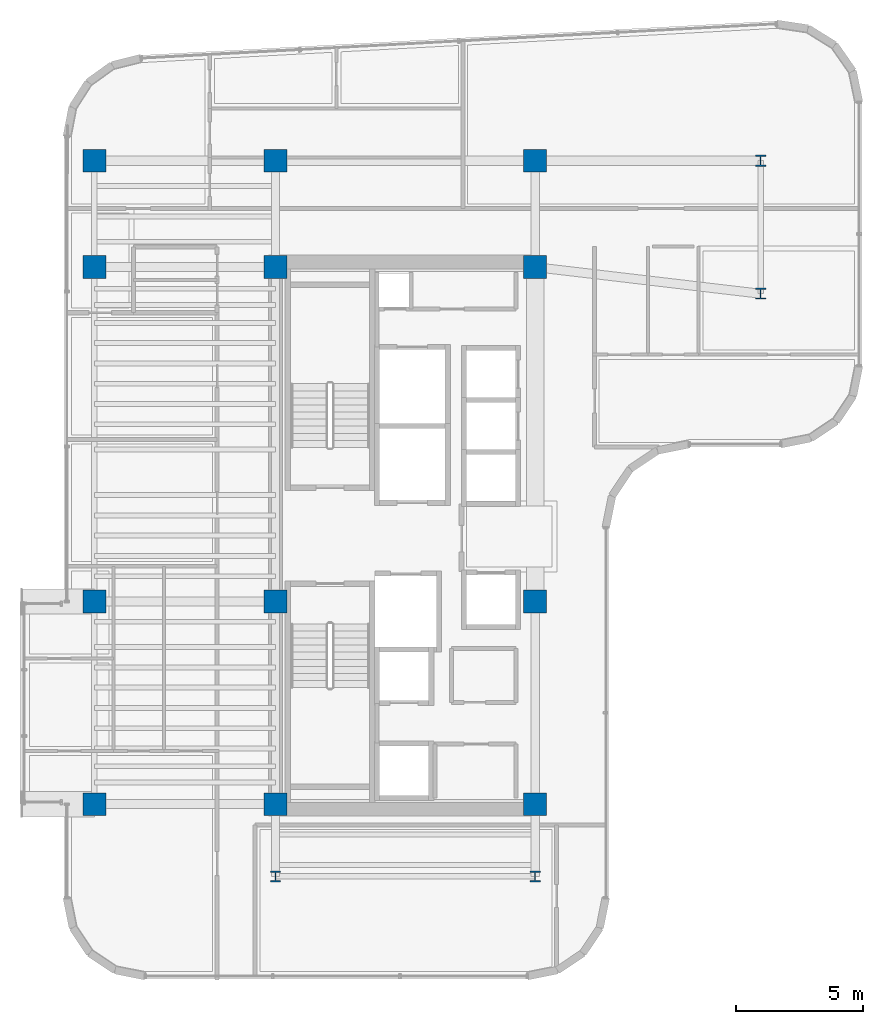
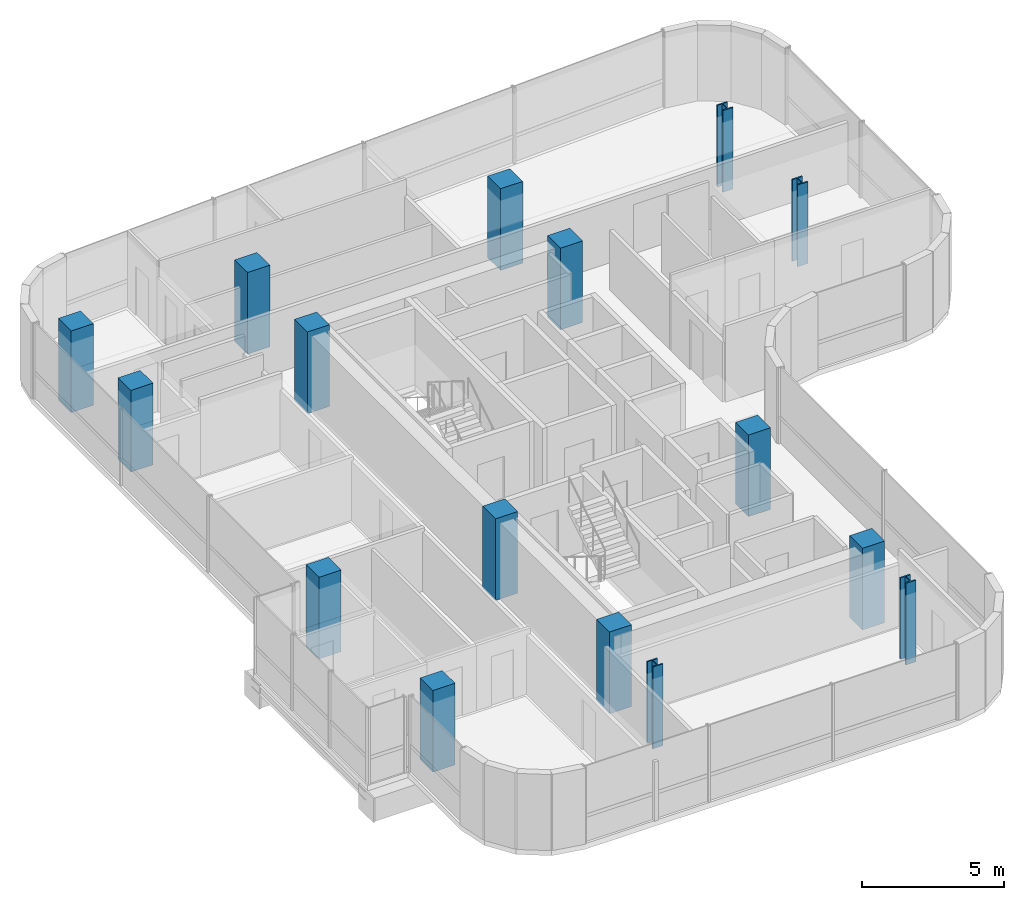
# One storey, part 1 of 24: 16 columns.
"""IFC4 building model written with IfcOpenShell, lengths in metres."""

from ifc_helpers import new_model, si_unit, direction, frame, origin, origin_2d, place, context, subcontext, project, spatial, rectangle, i_section, extrude, source, transform, mapped, material, material_profile, profile_set, type_object, element, save


model = new_model("IFC4")

# Units and contexts
model_context = context("Model", 3, precision=1e-05, world=origin(), true_north=direction((0.0, 1.0)))
body_context = subcontext(model_context, "Body", "Model", "MODEL_VIEW")
ifc_project = project(units=[si_unit("LENGTHUNIT", "METRE"), si_unit("AREAUNIT", "SQUARE_METRE"), si_unit("VOLUMEUNIT", "CUBIC_METRE"), si_unit("PLANEANGLEUNIT", "RADIAN"), si_unit("MASSUNIT", "GRAM", prefix="KILO")], contexts=[model_context])

# Site, building, storey
site_placement = place(None, origin())
site = spatial("IfcSite", under=ifc_project, at=site_placement, CompositionType="ELEMENT")
building_placement = place(site_placement, origin())
building = spatial("IfcBuilding", under=site, at=building_placement, Name="Valdorenza Pilgrim Sanctuary Tower", CompositionType="ELEMENT")
storey_placement = place(building_placement, frame((0.0, 0.0, 205.5)))
storey = spatial("IfcBuildingStorey", under=building, at=storey_placement, Name="L52", CompositionType="ELEMENT", Elevation=205.5)

# Columns
ifc_material_1 = material(Name="Concrete C50/60", Category="concrete")
ifc_material_profile_1 = material_profile(ifc_material_1, rectangle(XDim=0.89990234375, YDim=0.89990234375, at=origin_2d()), Name="RC 900x900")
ifc_profile_set_1 = profile_set([ifc_material_profile_1], Name="Concrete C50/60")
column_type_1 = type_object("IfcColumnType", Name="COL-Z4A-900", PredefinedType="COLUMN", material=ifc_profile_set_1)
shared_shape_1 = source(origin(), body_context, "Body", "SweptSolid", [
    extrude(rectangle(XDim=0.89990234375, YDim=0.89990234375, at=origin_2d()), origin(), (0.0, 0.0, 1.0), 3.5),
])
for number, where, z_axis, x_axis, name in (
    (1, (-29.800048828125, -10.60009765625, 0.0), (0.0, 0.0, 1.0), (1.0, 0.0, 0.0), "L52 Perimeter Column WA-W-S1"),
    (2, (-22.64990234375, -10.60009765625, 0.0), (0.0, 0.0, 1.0), (1.0, 0.0, 0.0), "L52 Column CA-W-S1"),
    (3, (-12.39990234375, -10.60009765625, 0.0), (0.0, 0.0, 1.0), (1.0, 0.0, 0.0), "L52 Column CA-E-S1"),
    (4, (-29.800048828125, -2.60009765625, 0.0), (0.0, 0.0, 1.0), (1.0, 0.0, 0.0), "L52 Perimeter Column WA-W-M0"),
    (5, (-22.64990234375, -2.60009765625, 0.0), (0.0, 0.0, 1.0), (1.0, 0.0, 0.0), "L52 Column CA-W-M0"),
    (6, (-12.39990234375, -2.60009765625, 0.0), (0.0, 0.0, 1.0), (1.0, 0.0, 0.0), "L52 Column CA-E-M0"),
    (7, (-29.800048828125, 10.60009765625, 0.0), (0.0, 0.0, 1.0), (1.0, 0.0, 0.0), "L52 Perimeter Column WA-W-N1"),
    (8, (-22.64990234375, 10.60009765625, 0.0), (0.0, 0.0, 1.0), (1.0, 0.0, 0.0), "L52 Column CA-W-N1"),
    (9, (-12.39990234375, 10.60009765625, 0.0), (0.0, 0.0, 1.0), (1.0, 0.0, 0.0), "L52 Column CA-E-N1"),
    (10, (-29.800048828125, 14.800048828125, 0.0), (0.0, 0.0, 1.0), (1.0, 0.0, 0.0), "L52 Perimeter Column WA-W-N2"),
    (11, (-22.64990234375, 14.800048828125, 0.0), (0.0, 0.0, 1.0), (1.0, 0.0, 0.0), "L52 Column CA-W-N2"),
    (12, (-12.39990234375, 14.800048828125, 0.0), (0.0, 0.0, 1.0), (1.0, 0.0, 0.0), "L52 Column CA-E-N2"),
):
    element("IfcColumn", number, at=place(storey_placement, frame(where, z_axis=z_axis, x_axis=x_axis)), inside=storey, type_object=column_type_1, Name=name, PredefinedType="COLUMN", context=body_context, shape_type="MappedRepresentation", body=[
        mapped(shared_shape_1, transform((0.0, 0.0, 0.0), x_axis=(1.0, 0.0, 0.0), y_axis=(0.0, 1.0, 0.0), z_axis=(0.0, 0.0, 1.0), scale=1.0)),
    ])
ifc_material_2 = material(Name="Steel ASTM A992 Grade 50", Category="steel")
ifc_material_profile_2 = material_profile(ifc_material_2, i_section(OverallWidth=0.412109375, OverallDepth=0.43505859375, WebThickness=0.035888671875, FlangeThickness=0.057373046875, at=origin_2d()), Name="W14X311")
ifc_profile_set_2 = profile_set([ifc_material_profile_2], Name="Steel ASTM A992 Grade 50")
column_type_2 = type_object("IfcColumnType", Name="COL-STL-W311", PredefinedType="COLUMN", material=ifc_profile_set_2)
shared_shape_2 = source(origin(), body_context, "Body", "SweptSolid", [
    extrude(i_section(OverallWidth=0.412109375, OverallDepth=0.43505859375, WebThickness=0.035888671875, FlangeThickness=0.057373046875, at=origin_2d()), origin(), (0.0, 0.0, 1.0), 3.5),
])
for number, where, z_axis, x_axis, name in (
    (13, (-22.64990234375, -13.449951171875, 0.0), (0.0, 0.0, 1.0), (1.0, 0.0, 0.0), "L52 Column WA-S-W"),
    (14, (-12.39990234375, -13.449951171875, 0.0), (0.0, 0.0, 1.0), (1.0, 0.0, 0.0), "L52 Column WA-S-E"),
    (15, (-3.5, 9.550048828125, 0.0), (0.0, 0.0, 1.0), (1.0, 0.0, 0.0), "L52 Column UWA-K1"),
    (16, (-3.5, 14.800048828125, 0.0), (0.0, 0.0, 1.0), (1.0, 0.0, 0.0), "L52 Column UWA-K2"),
):
    element("IfcColumn", number, at=place(storey_placement, frame(where, z_axis=z_axis, x_axis=x_axis)), inside=storey, type_object=column_type_2, Name=name, PredefinedType="COLUMN", context=body_context, shape_type="MappedRepresentation", body=[
        mapped(shared_shape_2, transform((0.0, 0.0, 0.0), x_axis=(1.0, 0.0, 0.0), y_axis=(0.0, 1.0, 0.0), z_axis=(0.0, 0.0, 1.0), scale=1.0)),
    ])

save(model, "model.ifc")
